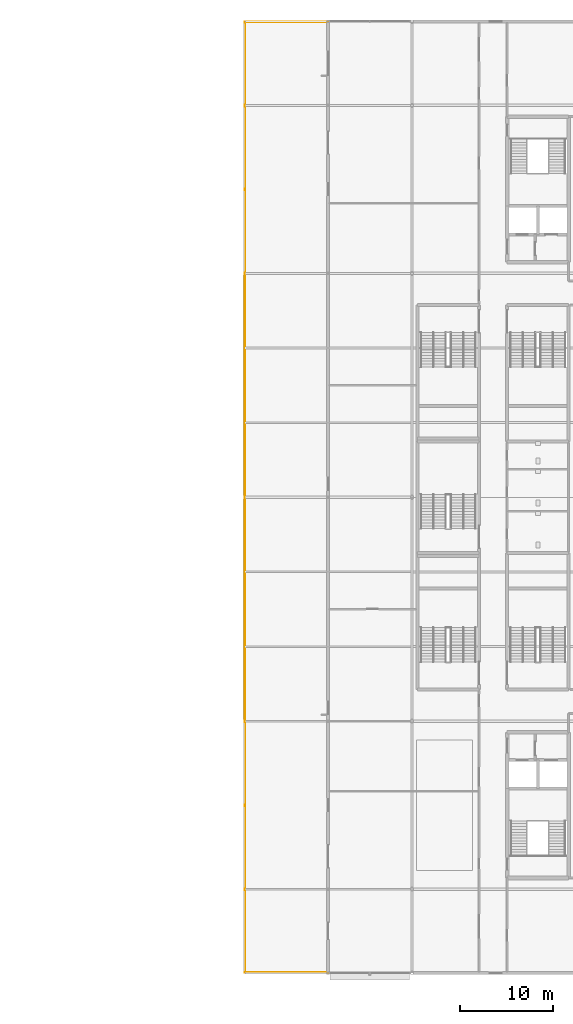
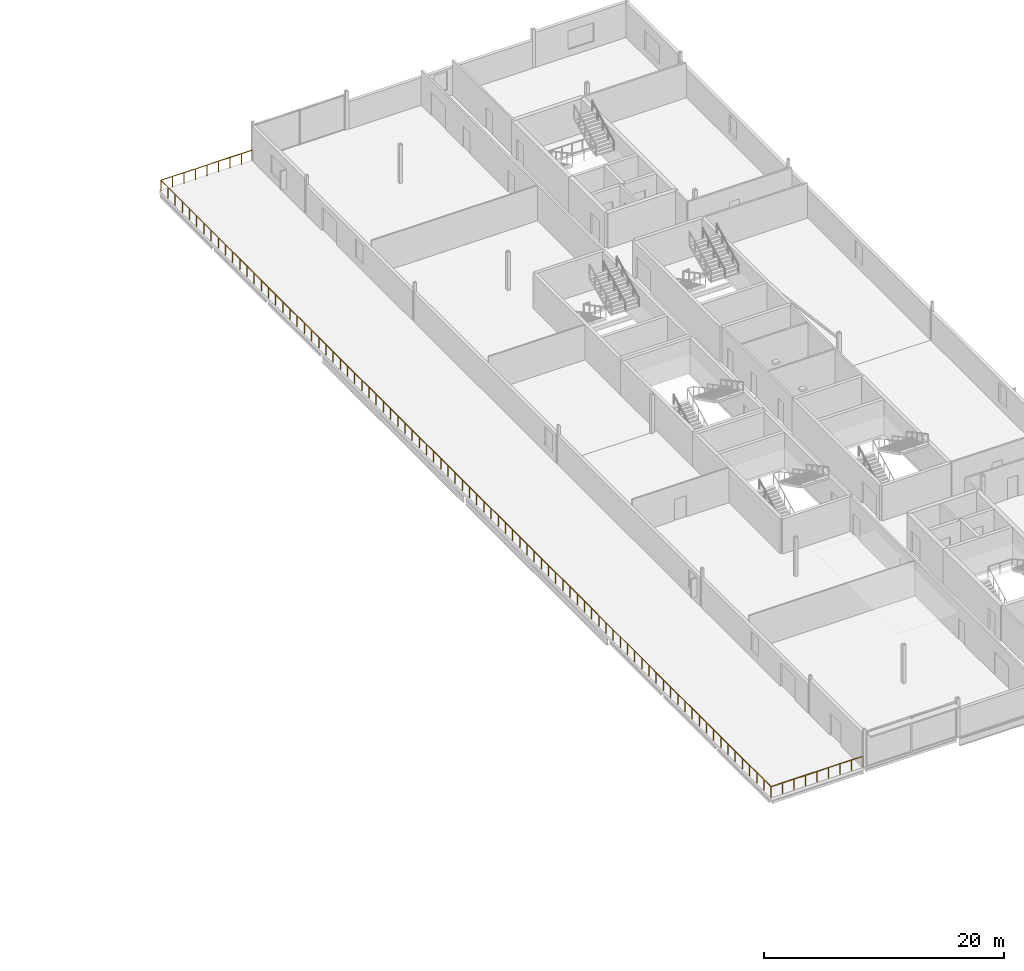
# One storey, part 52 of 55: 1 railing.
"""IFC4 building model written with IfcOpenShell, lengths in metres."""

from ifc_helpers import new_model, si_unit, direction, frame, origin, origin_2d, place, context, subcontext, project, spatial, circle, extrude, material, type_object, element, save


model = new_model("IFC4")

# Units and contexts
model_context = context("Model", 3, precision=1e-05, world=origin(), true_north=direction((0.0, 1.0)))
body_context = subcontext(model_context, "Body", "Model", "MODEL_VIEW")
ifc_project = project(units=[si_unit("LENGTHUNIT", "METRE"), si_unit("AREAUNIT", "SQUARE_METRE"), si_unit("VOLUMEUNIT", "CUBIC_METRE"), si_unit("PLANEANGLEUNIT", "RADIAN"), si_unit("MASSUNIT", "GRAM", prefix="KILO")], contexts=[model_context])

# Site, building, storey
site_placement = place(None, origin())
site = spatial("IfcSite", under=ifc_project, at=site_placement, CompositionType="ELEMENT")
building_placement = place(site_placement, origin())
building = spatial("IfcBuilding", under=site, at=building_placement, Name="Kisiwana Market Hall", CompositionType="ELEMENT")
storey_placement = place(building_placement, frame((0.0, 0.0, 37.800048828125)))
storey = spatial("IfcBuildingStorey", under=building, at=storey_placement, Name="L08", CompositionType="ELEMENT", Elevation=37.800048828125)

# Railing
ifc_material = material(Name="Steel S275", Category="steel")
railing_type = type_object("IfcRailingType", Name="RL-GUARD-1100", PredefinedType="GUARDRAIL", material=ifc_material)
railing_placement = place(storey_placement, frame((161.949951171875, 9.080078125, 0.0)))
element("IfcRailing", 1, at=railing_placement, inside=storey, type_object=railing_type, Name="L08 East Setback Terrace Guardrail 1100 RL-1701", PredefinedType="GUARDRAIL", context=body_context, shape_type="SweptSolid", body=[
    extrude(circle(Radius=0.02392578125, at=origin_2d()), frame((0.0, 0.0, 1.076171875), z_axis=(-1.0, 0.0, 0.0), x_axis=(0.0, -1.0, 0.0)), (0.0, 0.0, 1.0), 8.869873046875),
    extrude(circle(Radius=0.02392578125, at=origin_2d()), frame((-8.869873046875, 0.0, 1.076171875), z_axis=(0.0, 1.0, 0.0), x_axis=(-1.0, 0.0, 0.0)), (0.0, 0.0, 1.0), 101.83984375),
    extrude(circle(Radius=0.02392578125, at=origin_2d()), frame((-8.869873046875, 101.83984375, 1.076171875), z_axis=(1.0, 0.0, 0.0), x_axis=(0.0, 1.0, 0.0)), (0.0, 0.0, 1.0), 8.869873046875),
    extrude(circle(Radius=0.02099609375, at=origin_2d()), origin(), (0.0, 0.0, 1.0), 1.052001953125),
    extrude(circle(Radius=0.02099609375, at=origin_2d()), frame((-1.108642578125, 0.0, 0.0)), (0.0, 0.0, 1.0), 1.052001953125),
    extrude(circle(Radius=0.02099609375, at=origin_2d()), frame((-2.217529296875, 0.0, 0.0)), (0.0, 0.0, 1.0), 1.052001953125),
    extrude(circle(Radius=0.02099609375, at=origin_2d()), frame((-3.326171875, 0.0, 0.0)), (0.0, 0.0, 1.0), 1.052001953125),
    extrude(circle(Radius=0.02099609375, at=origin_2d()), frame((-4.43505859375, 0.0, 0.0)), (0.0, 0.0, 1.0), 1.052001953125),
    extrude(circle(Radius=0.02099609375, at=origin_2d()), frame((-5.543701171875, 0.0, 0.0)), (0.0, 0.0, 1.0), 1.052001953125),
    extrude(circle(Radius=0.02099609375, at=origin_2d()), frame((-6.65234375, 0.0, 0.0)), (0.0, 0.0, 1.0), 1.052001953125),
    extrude(circle(Radius=0.02099609375, at=origin_2d()), frame((-7.76123046875, 0.0, 0.0)), (0.0, 0.0, 1.0), 1.052001953125),
    extrude(circle(Radius=0.02099609375, at=origin_2d()), frame((-8.869873046875, 0.0, 0.0)), (0.0, 0.0, 1.0), 1.052001953125),
    extrude(circle(Radius=0.02099609375, at=origin_2d()), frame((-8.869873046875, 1.197998046875, 0.0)), (0.0, 0.0, 1.0), 1.052001953125),
    extrude(circle(Radius=0.02099609375, at=origin_2d()), frame((-8.869873046875, 2.396240234375, 0.0)), (0.0, 0.0, 1.0), 1.052001953125),
    extrude(circle(Radius=0.02099609375, at=origin_2d()), frame((-8.869873046875, 3.59423828125, 0.0)), (0.0, 0.0, 1.0), 1.052001953125),
    extrude(circle(Radius=0.02099609375, at=origin_2d()), frame((-8.869873046875, 4.79248046875, 0.0)), (0.0, 0.0, 1.0), 1.052001953125),
    extrude(circle(Radius=0.02099609375, at=origin_2d()), frame((-8.869873046875, 5.990478515625, 0.0)), (0.0, 0.0, 1.0), 1.052001953125),
    extrude(circle(Radius=0.02099609375, at=origin_2d()), frame((-8.869873046875, 7.188720703125, 0.0)), (0.0, 0.0, 1.0), 1.052001953125),
    extrude(circle(Radius=0.02099609375, at=origin_2d()), frame((-8.869873046875, 8.38671875, 0.0)), (0.0, 0.0, 1.0), 1.052001953125),
    extrude(circle(Radius=0.02099609375, at=origin_2d()), frame((-8.869873046875, 9.5849609375, 0.0)), (0.0, 0.0, 1.0), 1.052001953125),
    extrude(circle(Radius=0.02099609375, at=origin_2d()), frame((-8.869873046875, 10.782958984375, 0.0)), (0.0, 0.0, 1.0), 1.052001953125),
    extrude(circle(Radius=0.02099609375, at=origin_2d()), frame((-8.869873046875, 11.981201171875, 0.0)), (0.0, 0.0, 1.0), 1.052001953125),
    extrude(circle(Radius=0.02099609375, at=origin_2d()), frame((-8.869873046875, 13.17919921875, 0.0)), (0.0, 0.0, 1.0), 1.052001953125),
    extrude(circle(Radius=0.02099609375, at=origin_2d()), frame((-8.869873046875, 14.37744140625, 0.0)), (0.0, 0.0, 1.0), 1.052001953125),
    extrude(circle(Radius=0.02099609375, at=origin_2d()), frame((-8.869873046875, 15.575439453125, 0.0)), (0.0, 0.0, 1.0), 1.052001953125),
    extrude(circle(Radius=0.02099609375, at=origin_2d()), frame((-8.869873046875, 16.773681640625, 0.0)), (0.0, 0.0, 1.0), 1.052001953125),
    extrude(circle(Radius=0.02099609375, at=origin_2d()), frame((-8.869873046875, 17.9716796875, 0.0)), (0.0, 0.0, 1.0), 1.052001953125),
    extrude(circle(Radius=0.02099609375, at=origin_2d()), frame((-8.869873046875, 19.169921875, 0.0)), (0.0, 0.0, 1.0), 1.052001953125),
    extrude(circle(Radius=0.02099609375, at=origin_2d()), frame((-8.869873046875, 20.367919921875, 0.0)), (0.0, 0.0, 1.0), 1.052001953125),
    extrude(circle(Radius=0.02099609375, at=origin_2d()), frame((-8.869873046875, 21.566162109375, 0.0)), (0.0, 0.0, 1.0), 1.052001953125),
    extrude(circle(Radius=0.02099609375, at=origin_2d()), frame((-8.869873046875, 22.76416015625, 0.0)), (0.0, 0.0, 1.0), 1.052001953125),
    extrude(circle(Radius=0.02099609375, at=origin_2d()), frame((-8.869873046875, 23.96240234375, 0.0)), (0.0, 0.0, 1.0), 1.052001953125),
    extrude(circle(Radius=0.02099609375, at=origin_2d()), frame((-8.869873046875, 25.160400390625, 0.0)), (0.0, 0.0, 1.0), 1.052001953125),
    extrude(circle(Radius=0.02099609375, at=origin_2d()), frame((-8.869873046875, 26.358642578125, 0.0)), (0.0, 0.0, 1.0), 1.052001953125),
    extrude(circle(Radius=0.02099609375, at=origin_2d()), frame((-8.869873046875, 27.556640625, 0.0)), (0.0, 0.0, 1.0), 1.052001953125),
    extrude(circle(Radius=0.02099609375, at=origin_2d()), frame((-8.869873046875, 28.7548828125, 0.0)), (0.0, 0.0, 1.0), 1.052001953125),
    extrude(circle(Radius=0.02099609375, at=origin_2d()), frame((-8.869873046875, 29.952880859375, 0.0)), (0.0, 0.0, 1.0), 1.052001953125),
    extrude(circle(Radius=0.02099609375, at=origin_2d()), frame((-8.869873046875, 31.151123046875, 0.0)), (0.0, 0.0, 1.0), 1.052001953125),
    extrude(circle(Radius=0.02099609375, at=origin_2d()), frame((-8.869873046875, 32.34912109375, 0.0)), (0.0, 0.0, 1.0), 1.052001953125),
    extrude(circle(Radius=0.02099609375, at=origin_2d()), frame((-8.869873046875, 33.54736328125, 0.0)), (0.0, 0.0, 1.0), 1.052001953125),
    extrude(circle(Radius=0.02099609375, at=origin_2d()), frame((-8.869873046875, 34.745361328125, 0.0)), (0.0, 0.0, 1.0), 1.052001953125),
    extrude(circle(Radius=0.02099609375, at=origin_2d()), frame((-8.869873046875, 35.943359375, 0.0)), (0.0, 0.0, 1.0), 1.052001953125),
    extrude(circle(Radius=0.02099609375, at=origin_2d()), frame((-8.869873046875, 37.1416015625, 0.0)), (0.0, 0.0, 1.0), 1.052001953125),
    extrude(circle(Radius=0.02099609375, at=origin_2d()), frame((-8.869873046875, 38.339599609375, 0.0)), (0.0, 0.0, 1.0), 1.052001953125),
    extrude(circle(Radius=0.02099609375, at=origin_2d()), frame((-8.869873046875, 39.537841796875, 0.0)), (0.0, 0.0, 1.0), 1.052001953125),
    extrude(circle(Radius=0.02099609375, at=origin_2d()), frame((-8.869873046875, 40.73583984375, 0.0)), (0.0, 0.0, 1.0), 1.052001953125),
    extrude(circle(Radius=0.02099609375, at=origin_2d()), frame((-8.869873046875, 41.93408203125, 0.0)), (0.0, 0.0, 1.0), 1.052001953125),
    extrude(circle(Radius=0.02099609375, at=origin_2d()), frame((-8.869873046875, 43.132080078125, 0.0)), (0.0, 0.0, 1.0), 1.052001953125),
    extrude(circle(Radius=0.02099609375, at=origin_2d()), frame((-8.869873046875, 44.330322265625, 0.0)), (0.0, 0.0, 1.0), 1.052001953125),
    extrude(circle(Radius=0.02099609375, at=origin_2d()), frame((-8.869873046875, 45.5283203125, 0.0)), (0.0, 0.0, 1.0), 1.052001953125),
    extrude(circle(Radius=0.02099609375, at=origin_2d()), frame((-8.869873046875, 46.7265625, 0.0)), (0.0, 0.0, 1.0), 1.052001953125),
    extrude(circle(Radius=0.02099609375, at=origin_2d()), frame((-8.869873046875, 47.924560546875, 0.0)), (0.0, 0.0, 1.0), 1.052001953125),
    extrude(circle(Radius=0.02099609375, at=origin_2d()), frame((-8.869873046875, 49.122802734375, 0.0)), (0.0, 0.0, 1.0), 1.052001953125),
    extrude(circle(Radius=0.02099609375, at=origin_2d()), frame((-8.869873046875, 50.32080078125, 0.0)), (0.0, 0.0, 1.0), 1.052001953125),
    extrude(circle(Radius=0.02099609375, at=origin_2d()), frame((-8.869873046875, 51.51904296875, 0.0)), (0.0, 0.0, 1.0), 1.052001953125),
    extrude(circle(Radius=0.02099609375, at=origin_2d()), frame((-8.869873046875, 52.717041015625, 0.0)), (0.0, 0.0, 1.0), 1.052001953125),
    extrude(circle(Radius=0.02099609375, at=origin_2d()), frame((-8.869873046875, 53.915283203125, 0.0)), (0.0, 0.0, 1.0), 1.052001953125),
    extrude(circle(Radius=0.02099609375, at=origin_2d()), frame((-8.869873046875, 55.11328125, 0.0)), (0.0, 0.0, 1.0), 1.052001953125),
    extrude(circle(Radius=0.02099609375, at=origin_2d()), frame((-8.869873046875, 56.3115234375, 0.0)), (0.0, 0.0, 1.0), 1.052001953125),
    extrude(circle(Radius=0.02099609375, at=origin_2d()), frame((-8.869873046875, 57.509521484375, 0.0)), (0.0, 0.0, 1.0), 1.052001953125),
    extrude(circle(Radius=0.02099609375, at=origin_2d()), frame((-8.869873046875, 58.707763671875, 0.0)), (0.0, 0.0, 1.0), 1.052001953125),
    extrude(circle(Radius=0.02099609375, at=origin_2d()), frame((-8.869873046875, 59.90576171875, 0.0)), (0.0, 0.0, 1.0), 1.052001953125),
    extrude(circle(Radius=0.02099609375, at=origin_2d()), frame((-8.869873046875, 61.10400390625, 0.0)), (0.0, 0.0, 1.0), 1.052001953125),
    extrude(circle(Radius=0.02099609375, at=origin_2d()), frame((-8.869873046875, 62.302001953125, 0.0)), (0.0, 0.0, 1.0), 1.052001953125),
    extrude(circle(Radius=0.02099609375, at=origin_2d()), frame((-8.869873046875, 63.500244140625, 0.0)), (0.0, 0.0, 1.0), 1.052001953125),
    extrude(circle(Radius=0.02099609375, at=origin_2d()), frame((-8.869873046875, 64.6982421875, 0.0)), (0.0, 0.0, 1.0), 1.052001953125),
    extrude(circle(Radius=0.02099609375, at=origin_2d()), frame((-8.869873046875, 65.896484375, 0.0)), (0.0, 0.0, 1.0), 1.052001953125),
    extrude(circle(Radius=0.02099609375, at=origin_2d()), frame((-8.869873046875, 67.094482421875, 0.0)), (0.0, 0.0, 1.0), 1.052001953125),
    extrude(circle(Radius=0.02099609375, at=origin_2d()), frame((-8.869873046875, 68.29248046875, 0.0)), (0.0, 0.0, 1.0), 1.052001953125),
    extrude(circle(Radius=0.02099609375, at=origin_2d()), frame((-8.869873046875, 69.49072265625, 0.0)), (0.0, 0.0, 1.0), 1.052001953125),
    extrude(circle(Radius=0.02099609375, at=origin_2d()), frame((-8.869873046875, 70.688720703125, 0.0)), (0.0, 0.0, 1.0), 1.052001953125),
    extrude(circle(Radius=0.02099609375, at=origin_2d()), frame((-8.869873046875, 71.886962890625, 0.0)), (0.0, 0.0, 1.0), 1.052001953125),
    extrude(circle(Radius=0.02099609375, at=origin_2d()), frame((-8.869873046875, 73.0849609375, 0.0)), (0.0, 0.0, 1.0), 1.052001953125),
    extrude(circle(Radius=0.02099609375, at=origin_2d()), frame((-8.869873046875, 74.283203125, 0.0)), (0.0, 0.0, 1.0), 1.052001953125),
    extrude(circle(Radius=0.02099609375, at=origin_2d()), frame((-8.869873046875, 75.481201171875, 0.0)), (0.0, 0.0, 1.0), 1.052001953125),
    extrude(circle(Radius=0.02099609375, at=origin_2d()), frame((-8.869873046875, 76.679443359375, 0.0)), (0.0, 0.0, 1.0), 1.052001953125),
    extrude(circle(Radius=0.02099609375, at=origin_2d()), frame((-8.869873046875, 77.87744140625, 0.0)), (0.0, 0.0, 1.0), 1.052001953125),
    extrude(circle(Radius=0.02099609375, at=origin_2d()), frame((-8.869873046875, 79.07568359375, 0.0)), (0.0, 0.0, 1.0), 1.052001953125),
    extrude(circle(Radius=0.02099609375, at=origin_2d()), frame((-8.869873046875, 80.273681640625, 0.0)), (0.0, 0.0, 1.0), 1.052001953125),
    extrude(circle(Radius=0.02099609375, at=origin_2d()), frame((-8.869873046875, 81.471923828125, 0.0)), (0.0, 0.0, 1.0), 1.052001953125),
    extrude(circle(Radius=0.02099609375, at=origin_2d()), frame((-8.869873046875, 82.669921875, 0.0)), (0.0, 0.0, 1.0), 1.052001953125),
    extrude(circle(Radius=0.02099609375, at=origin_2d()), frame((-8.869873046875, 83.8681640625, 0.0)), (0.0, 0.0, 1.0), 1.052001953125),
    extrude(circle(Radius=0.02099609375, at=origin_2d()), frame((-8.869873046875, 85.066162109375, 0.0)), (0.0, 0.0, 1.0), 1.052001953125),
    extrude(circle(Radius=0.02099609375, at=origin_2d()), frame((-8.869873046875, 86.264404296875, 0.0)), (0.0, 0.0, 1.0), 1.052001953125),
    extrude(circle(Radius=0.02099609375, at=origin_2d()), frame((-8.869873046875, 87.46240234375, 0.0)), (0.0, 0.0, 1.0), 1.052001953125),
    extrude(circle(Radius=0.02099609375, at=origin_2d()), frame((-8.869873046875, 88.66064453125, 0.0)), (0.0, 0.0, 1.0), 1.052001953125),
    extrude(circle(Radius=0.02099609375, at=origin_2d()), frame((-8.869873046875, 89.858642578125, 0.0)), (0.0, 0.0, 1.0), 1.052001953125),
    extrude(circle(Radius=0.02099609375, at=origin_2d()), frame((-8.869873046875, 91.056884765625, 0.0)), (0.0, 0.0, 1.0), 1.052001953125),
    extrude(circle(Radius=0.02099609375, at=origin_2d()), frame((-8.869873046875, 92.2548828125, 0.0)), (0.0, 0.0, 1.0), 1.052001953125),
    extrude(circle(Radius=0.02099609375, at=origin_2d()), frame((-8.869873046875, 93.453125, 0.0)), (0.0, 0.0, 1.0), 1.052001953125),
    extrude(circle(Radius=0.02099609375, at=origin_2d()), frame((-8.869873046875, 94.651123046875, 0.0)), (0.0, 0.0, 1.0), 1.052001953125),
    extrude(circle(Radius=0.02099609375, at=origin_2d()), frame((-8.869873046875, 95.849365234375, 0.0)), (0.0, 0.0, 1.0), 1.052001953125),
    extrude(circle(Radius=0.02099609375, at=origin_2d()), frame((-8.869873046875, 97.04736328125, 0.0)), (0.0, 0.0, 1.0), 1.052001953125),
    extrude(circle(Radius=0.02099609375, at=origin_2d()), frame((-8.869873046875, 98.24560546875, 0.0)), (0.0, 0.0, 1.0), 1.052001953125),
    extrude(circle(Radius=0.02099609375, at=origin_2d()), frame((-8.869873046875, 99.443603515625, 0.0)), (0.0, 0.0, 1.0), 1.052001953125),
    extrude(circle(Radius=0.02099609375, at=origin_2d()), frame((-8.869873046875, 100.641845703125, 0.0)), (0.0, 0.0, 1.0), 1.052001953125),
    extrude(circle(Radius=0.02099609375, at=origin_2d()), frame((-8.869873046875, 101.83984375, 0.0)), (0.0, 0.0, 1.0), 1.052001953125),
    extrude(circle(Radius=0.02099609375, at=origin_2d()), frame((-7.76123046875, 101.83984375, 0.0)), (0.0, 0.0, 1.0), 1.052001953125),
    extrude(circle(Radius=0.02099609375, at=origin_2d()), frame((-6.65234375, 101.83984375, 0.0)), (0.0, 0.0, 1.0), 1.052001953125),
    extrude(circle(Radius=0.02099609375, at=origin_2d()), frame((-5.543701171875, 101.83984375, 0.0)), (0.0, 0.0, 1.0), 1.052001953125),
    extrude(circle(Radius=0.02099609375, at=origin_2d()), frame((-4.43505859375, 101.83984375, 0.0)), (0.0, 0.0, 1.0), 1.052001953125),
    extrude(circle(Radius=0.02099609375, at=origin_2d()), frame((-3.326171875, 101.83984375, 0.0)), (0.0, 0.0, 1.0), 1.052001953125),
    extrude(circle(Radius=0.02099609375, at=origin_2d()), frame((-2.217529296875, 101.83984375, 0.0)), (0.0, 0.0, 1.0), 1.052001953125),
    extrude(circle(Radius=0.02099609375, at=origin_2d()), frame((-1.108642578125, 101.83984375, 0.0)), (0.0, 0.0, 1.0), 1.052001953125),
    extrude(circle(Radius=0.02099609375, at=origin_2d()), frame((0.0, 101.83984375, 0.0)), (0.0, 0.0, 1.0), 1.052001953125),
])

save(model, "model.ifc")
